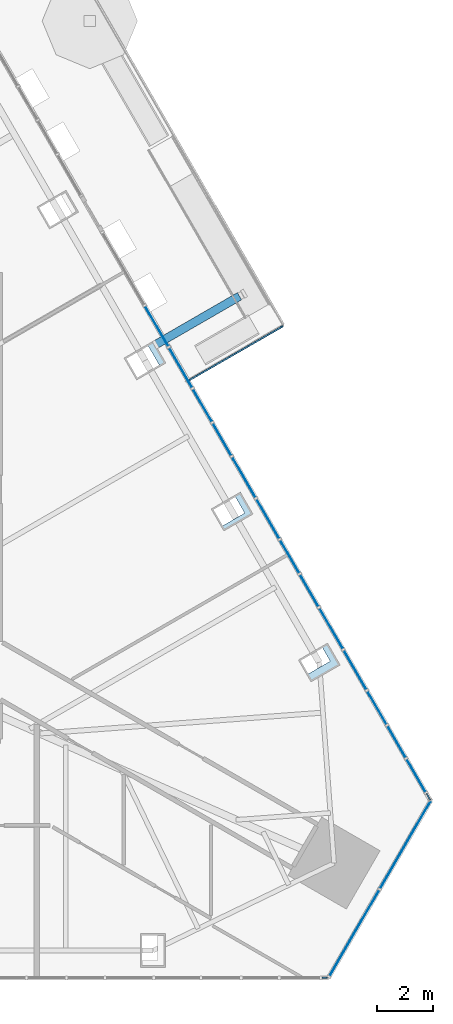
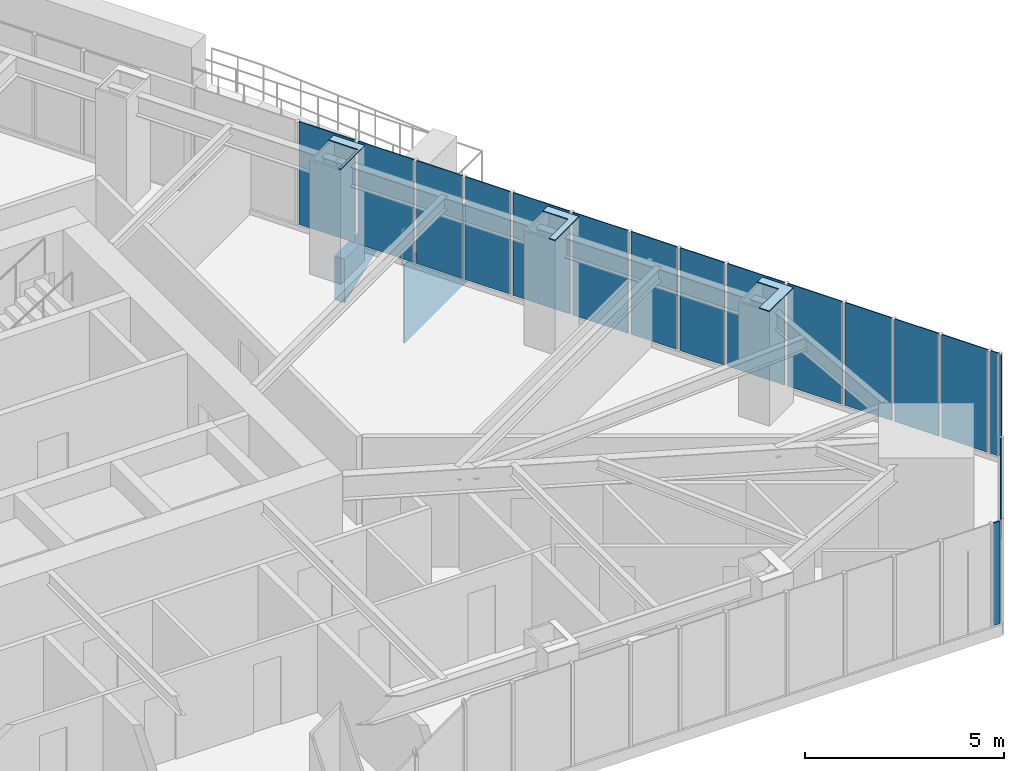
# One storey, part 12 of 22: 22 plates, 3 elements without a shape of their own.
"""IFC4 building model written with IfcOpenShell, lengths in metres."""

from ifc_helpers import new_model, si_unit, direction, frame, origin, place, context, subcontext, project, spatial, polyline, outline, extrude, material, layer, layer_set, type_object, element, aggregate, save


model = new_model("IFC4")

# Units and contexts
model_context = context("Model", 3, precision=1e-05, world=origin(), true_north=direction((0.0, 1.0)))
body_context = subcontext(model_context, "Body", "Model", "MODEL_VIEW")
ifc_project = project(units=[si_unit("LENGTHUNIT", "METRE"), si_unit("AREAUNIT", "SQUARE_METRE"), si_unit("VOLUMEUNIT", "CUBIC_METRE"), si_unit("PLANEANGLEUNIT", "RADIAN"), si_unit("MASSUNIT", "GRAM", prefix="KILO")], contexts=[model_context])

# Site, building, storey
site_placement = place(None, origin())
site = spatial("IfcSite", under=ifc_project, at=site_placement, CompositionType="ELEMENT")
building_placement = place(site_placement, origin())
building = spatial("IfcBuilding", under=site, at=building_placement, Name="Firuza Gate Tower and Library", CompositionType="ELEMENT")
storey_placement = place(building_placement, frame((0.0, 0.0, 295.10009765625)))
storey = spatial("IfcBuildingStorey", under=building, at=storey_placement, Name="L71", CompositionType="ELEMENT", Elevation=295.10009765625)

# Plates
ifc_material_1 = material(Name="Steel S355", Category="steel")
ifc_layer_1 = layer(ifc_material_1, 0.030029296875)
ifc_layer_set_1 = layer_set([ifc_layer_1], Name="Column infill plate 30 Steel S355")
plate_type_1 = type_object("IfcPlateType", Name="Column infill plate 30 Steel S355", PredefinedType="SHEET", material=ifc_layer_set_1)
placement_1 = place(storey_placement, frame((0.0, 0.0, 3.5)))
element("IfcPlate", 1, at=placement_1, inside=storey, type_object=plate_type_1, Name="Infill plate L71:E1", PredefinedType="SHEET", context=body_context, shape_type="SweptSolid", body=[
    extrude(outline(polyline([(96.755126953125, 70.1435546875), (96.5498046875, 70.025146484375), (96.853271484375, 69.499755859375), (96.019287109375, 69.018310546875), (96.166015625, 68.76416015625), (97.205078125, 69.3642578125), (96.755126953125, 70.1435546875)])), origin(), (0.0, 0.0, 1.0), 0.02978515625),
])
element("IfcPlate", 2, at=placement_1, inside=storey, type_object=plate_type_1, Name="Infill plate L71:E2", PredefinedType="SHEET", context=body_context, shape_type="SweptSolid", body=[
    extrude(outline(polyline([(93.6484375, 75.524658203125), (93.443115234375, 75.406005859375), (93.80517578125, 74.779052734375), (92.97119140625, 74.297607421875), (93.059326171875, 74.14501953125), (94.0986328125, 74.7451171875), (93.6484375, 75.524658203125)])), origin(), (0.0, 0.0, 1.0), 0.02978515625),
])
element("IfcPlate", 3, at=placement_1, inside=storey, type_object=plate_type_1, Name="Infill plate L71:E3", PredefinedType="SHEET", context=body_context, shape_type="SweptSolid", body=[
    extrude(outline(polyline([(90.541748046875, 80.905517578125), (90.33642578125, 80.786865234375), (90.757080078125, 80.058349609375), (89.92333984375, 79.576904296875), (89.95263671875, 79.526123046875), (90.991943359375, 80.1259765625), (90.541748046875, 80.905517578125)])), origin(), (0.0, 0.0, 1.0), 0.02978515625),
])

# Curtain wall, plates
ifc_material_2 = material(Name="Aluminium 6063-T6", Category="aluminium")
ifc_layer_2 = layer(ifc_material_2, 0.14990234375)
ifc_layer_set_2 = layer_set([ifc_layer_2], Name="Corner curtain wall, chamfers")
curtain_wall_type_1 = type_object("IfcCurtainWallType", Name="Corner curtain wall, chamfers", PredefinedType="NOTDEFINED", material=ifc_layer_set_2)
placement_2 = place(storey_placement, origin())
curtain_wall_1 = element("IfcCurtainWall", 4, at=placement_2, inside=storey, type_object=curtain_wall_type_1, Name="CW4 L71 SE corner", PredefinedType="NOTDEFINED")
ifc_material_3 = material(Name="Fritted glass", Category="glass")
ifc_layer_3 = layer(ifc_material_3, 0.030029296875)
ifc_layer_set_3 = layer_set([ifc_layer_3], Name="Fritted glass unit, corners")
plate_type_2 = type_object("IfcPlateType", Name="Fritted glass unit, corners", PredefinedType="CURTAIN_PANEL", material=ifc_layer_set_3)
plate_4_placement = place(storey_placement, frame((96.822998046875, 58.23974609375, 0.14990234375), z_axis=(0.866046390552, -0.49996364809, 0.0), x_axis=(0.49996364809, 0.866046390552, 0.0)))
plate_4 = element("IfcPlate", 5, at=plate_4_placement, type_object=plate_type_2, Name="Glass unit", PredefinedType="CURTAIN_PANEL", context=body_context, shape_type="SweptSolid", body=[
    extrude(outline(polyline([(0.0, 0.0), (3.563247342942594, 0.0), (3.563247342942594, 3.14990234375), (0.0, 3.14990234375), (0.0, 0.0)])), origin(), (0.0, 0.0, -1.0), 0.030029296875),
])
plate_5_placement = place(storey_placement, frame((98.64453125, 61.39501953125, 0.14990234375), z_axis=(0.866016723041, -0.500015035186, 0.0), x_axis=(0.500015035186, 0.866016723041, 0.0)))
plate_5 = element("IfcPlate", 6, at=plate_5_placement, type_object=plate_type_2, Name="Glass unit", PredefinedType="CURTAIN_PANEL", context=body_context, shape_type="SweptSolid", body=[
    extrude(outline(polyline([(0.0, 0.0), (3.5633694106530625, 0.0), (3.5633694106530625, 3.14990234375), (0.0, 3.14990234375), (0.0, 0.0)])), origin(), (0.0, 0.0, -1.0), 0.030029296875),
])
aggregate(curtain_wall_1, [plate_4, plate_5])

ifc_material_4 = material(Name="Aluminium 6063-T6", Category="aluminium")
ifc_layer_4 = layer(ifc_material_4, 0.14990234375)
ifc_layer_set_4 = layer_set([ifc_layer_4], Name="Unitised curtain wall, residences")
curtain_wall_type_2 = type_object("IfcCurtainWallType", Name="Unitised curtain wall, residences", PredefinedType="NOTDEFINED", material=ifc_layer_set_4)
curtain_wall_2 = element("IfcCurtainWall", 7, at=placement_2, inside=storey, type_object=curtain_wall_type_2, Name="CW3 L71 E face", PredefinedType="NOTDEFINED")
ifc_material_5 = material(Name="Fritted glass", Category="glass")
ifc_layer_5 = layer(ifc_material_5, 0.030029296875)
ifc_layer_set_5 = layer_set([ifc_layer_5], Name="Fritted glass unit, residences")
plate_type_3 = type_object("IfcPlateType", Name="Fritted glass unit, residences", PredefinedType="CURTAIN_PANEL", material=ifc_layer_set_5)
plate_6_placement = place(storey_placement, frame((100.2607421875, 64.85205078125, 0.14990234375), z_axis=(0.866003567665, 0.500037819361, 0.0), x_axis=(-0.500037819361, 0.866003567665, 0.0)))
plate_6 = element("IfcPlate", 8, at=plate_6_placement, type_object=plate_type_3, Name="Glass unit", PredefinedType="CURTAIN_PANEL", context=body_context, shape_type="SweptSolid", body=[
    extrude(outline(polyline([(0.0, 0.0), (1.3402306579164724, 0.0), (1.3402306579164724, 3.14990234375), (0.0, 3.14990234375), (0.0, 0.0)])), origin(), (0.0, 0.0, -1.0), 0.030029296875),
])
plate_7_placement = place(storey_placement, frame((98.152099609375, 68.504150390625, 0.14990234375), z_axis=(0.866043049997, 0.499969434617, 0.0), x_axis=(-0.499969434617, 0.866043049997, 0.0)))
plate_7 = element("IfcPlate", 9, at=plate_7_placement, type_object=plate_type_3, Name="Glass unit", PredefinedType="CURTAIN_PANEL", context=body_context, shape_type="SweptSolid", body=[
    extrude(outline(polyline([(0.0, 0.0), (1.597265610819663, 0.0), (1.597265610819663, 3.14990234375), (0.0, 3.14990234375), (0.0, 0.0)])), origin(), (0.0, 0.0, -1.0), 0.030029296875),
])
plate_8_placement = place(storey_placement, frame((97.3134765625, 69.956787109375, 0.14990234375), z_axis=(0.866006690807, 0.500032410427, 0.0), x_axis=(-0.500032410427, 0.866006690807, 0.0)))
plate_8 = element("IfcPlate", 10, at=plate_8_placement, type_object=plate_type_3, Name="Glass unit", PredefinedType="CURTAIN_PANEL", context=body_context, shape_type="SweptSolid", body=[
    extrude(outline(polyline([(0.0, 0.0), (1.6590721450269508, 0.0), (1.6590721450269508, 3.14990234375), (0.0, 3.14990234375), (0.0, 0.0)])), origin(), (0.0, 0.0, -1.0), 0.030029296875),
])
plate_9_placement = place(storey_placement, frame((95.04541015625, 73.88525390625, 0.14990234375), z_axis=(0.865965804178, 0.50010321534, 0.0), x_axis=(-0.50010321534, 0.865965804178, 0.0)))
plate_9 = element("IfcPlate", 11, at=plate_9_placement, type_object=plate_type_3, Name="Glass unit", PredefinedType="CURTAIN_PANEL", context=body_context, shape_type="SweptSolid", body=[
    extrude(outline(polyline([(0.0, 0.0), (1.6095310246658425, 0.0), (1.6095310246658425, 3.14990234375), (0.0, 3.14990234375), (0.0, 0.0)])), origin(), (0.0, 0.0, -1.0), 0.030029296875),
])
plate_10_placement = place(storey_placement, frame((94.200439453125, 75.348388671875, 0.14990234375), z_axis=(0.866044851585, 0.499966313909, 0.0), x_axis=(-0.499966313909, 0.866044851585, 0.0)))
plate_10 = element("IfcPlate", 12, at=plate_10_placement, type_object=plate_type_3, Name="Glass unit", PredefinedType="CURTAIN_PANEL", context=body_context, shape_type="SweptSolid", body=[
    extrude(outline(polyline([(0.0, 0.0), (1.6465953097185018, 0.0), (1.6465953097185018, 3.14990234375), (0.0, 3.14990234375), (0.0, 0.0)])), origin(), (0.0, 0.0, -1.0), 0.030029296875),
])
plate_11_placement = place(storey_placement, frame((91.938720703125, 79.26611328125, 0.14990234375), z_axis=(0.865992557167, 0.500056887695, 0.0), x_axis=(-0.500056887695, 0.865992557167, 0.0)))
plate_11 = element("IfcPlate", 13, at=plate_11_placement, type_object=plate_type_3, Name="Glass unit", PredefinedType="CURTAIN_PANEL", context=body_context, shape_type="SweptSolid", body=[
    extrude(outline(polyline([(0.0, 0.0), (1.6218857818127541, 0.0), (1.6218857818127541, 3.14990234375), (0.0, 3.14990234375), (0.0, 0.0)])), origin(), (0.0, 0.0, -1.0), 0.030029296875),
])
plate_12_placement = place(storey_placement, frame((91.087646484375, 80.739990234375, 0.14990234375), z_axis=(0.866056245385, 0.499946576975, 0.0), x_axis=(-0.499946576975, 0.866056245385, 0.0)))
plate_12 = element("IfcPlate", 14, at=plate_12_placement, type_object=plate_type_3, Name="Glass unit", PredefinedType="CURTAIN_PANEL", context=body_context, shape_type="SweptSolid", body=[
    extrude(outline(polyline([(0.0, 0.0), (1.6344519784862355, 0.0), (1.6344519784862355, 3.14990234375), (0.0, 3.14990234375), (0.0, 0.0)])), origin(), (0.0, 0.0, -1.0), 0.030029296875),
])

# Curtain wall, plate
curtain_wall_3 = element("IfcCurtainWall", 15, at=placement_2, inside=storey, type_object=curtain_wall_type_2, Name="CW3 L71 S face", PredefinedType="NOTDEFINED")
ifc_material_6 = material(Name="Glazed ceramic tile")
ifc_layer_6 = layer(ifc_material_6, 0.030029296875)
ifc_layer_set_6 = layer_set([ifc_layer_6], Name="Opaque ceramic panel, residences")
plate_type_4 = type_object("IfcPlateType", Name="Opaque ceramic panel, residences", PredefinedType="CURTAIN_PANEL", material=ifc_layer_set_6)
plate_13_placement = place(storey_placement, frame((96.56396484375, 58.19775390625, 0.14990234375), z_axis=(0.0, -1.0, 0.0), x_axis=(1.0, 0.0, 0.0)))
plate_13 = element("IfcPlate", 16, at=plate_13_placement, type_object=plate_type_4, Name="Opaque ceramic panel", PredefinedType="CURTAIN_PANEL", context=body_context, shape_type="SweptSolid", body=[
    extrude(outline(polyline([(0.0, 0.0), (0.18603515625, 0.0), (0.18603515625, 3.14990234375), (0.0, 3.14990234375), (0.0, 0.0)])), origin(), (0.0, 0.0, -1.0), 0.030029296875),
])
aggregate(curtain_wall_3, [plate_13])

# Plate
plate_14_placement = place(storey_placement, frame((100.42626953125, 64.565185546875, 0.14990234375), z_axis=(0.866201770413, 0.499694399542, 0.0), x_axis=(-0.499694399542, 0.866201770413, 0.0)))
plate_14 = element("IfcPlate", 17, at=plate_14_placement, type_object=plate_type_4, Name="Opaque ceramic panel", PredefinedType="CURTAIN_PANEL", context=body_context, shape_type="SweptSolid", body=[
    extrude(outline(polyline([(0.0, 0.0), (0.25113005341856437, 0.0), (0.25113005341856437, 3.14990234375), (0.0, 3.14990234375), (0.0, 0.0)])), origin(), (0.0, 0.0, -1.0), 0.030029296875),
])

plate_15_placement = place(storey_placement, frame((99.550537109375, 66.08203125, 0.14990234375), z_axis=(0.866030104553, 0.499991857942, 0.0), x_axis=(-0.499991857942, 0.866030104553, 0.0)))
plate_15 = element("IfcPlate", 18, at=plate_15_placement, type_object=plate_type_4, Name="Opaque ceramic panel", PredefinedType="CURTAIN_PANEL", context=body_context, shape_type="SweptSolid", body=[
    extrude(outline(polyline([(0.0, 0.0), (1.2812708643633335, 0.0), (1.2812708643633335, 3.14990234375), (0.0, 3.14990234375), (0.0, 0.0)])), origin(), (0.0, 0.0, -1.0), 0.030029296875),
])

plate_16_placement = place(storey_placement, frame((98.869873046875, 67.260986328125, 0.14990234375), z_axis=(0.866062633531, 0.499935510643, 0.0), x_axis=(-0.499935510643, 0.866062633531, 0.0)))
plate_16 = element("IfcPlate", 19, at=plate_16_placement, type_object=plate_type_4, Name="Opaque ceramic panel", PredefinedType="CURTAIN_PANEL", context=body_context, shape_type="SweptSolid", body=[
    extrude(outline(polyline([(0.0, 0.0), (1.3556435991684768, 0.0), (1.3556435991684768, 3.14990234375), (0.0, 3.14990234375), (0.0, 0.0)])), origin(), (0.0, 0.0, -1.0), 0.030029296875),
])

plate_17_placement = place(storey_placement, frame((96.44384765625, 71.462890625, 0.14990234375), z_axis=(0.865981306888, 0.500076370288, 0.0), x_axis=(-0.500076370288, 0.865981306888, 0.0)))
plate_17 = element("IfcPlate", 20, at=plate_17_placement, type_object=plate_type_4, Name="Opaque ceramic panel", PredefinedType="CURTAIN_PANEL", context=body_context, shape_type="SweptSolid", body=[
    extrude(outline(polyline([(0.0, 0.0), (1.2937477047296333, 0.0), (1.2937477047296333, 3.14990234375), (0.0, 3.14990234375), (0.0, 0.0)])), origin(), (0.0, 0.0, -1.0), 0.030029296875),
])

plate_18_placement = place(storey_placement, frame((95.757080078125, 72.652587890625, 0.14990234375), z_axis=(0.866031230052, 0.499989908473, 0.0), x_axis=(-0.499989908473, 0.866031230052, 0.0)))
plate_18 = element("IfcPlate", 21, at=plate_18_placement, type_object=plate_type_4, Name="Opaque ceramic panel", PredefinedType="CURTAIN_PANEL", context=body_context, shape_type="SweptSolid", body=[
    extrude(outline(polyline([(0.0, 0.0), (1.3432888304214845, 0.0), (1.3432888304214845, 3.14990234375), (0.0, 3.14990234375), (0.0, 0.0)])), origin(), (0.0, 0.0, -1.0), 0.030029296875),
])

plate_19_placement = place(storey_placement, frame((93.337158203125, 76.84375, 0.14990234375), z_axis=(0.86601437931, 0.500019094464, 0.0), x_axis=(-0.500019094464, 0.86601437931, 0.0)))
plate_19 = element("IfcPlate", 22, at=plate_19_placement, type_object=plate_type_4, Name="Opaque ceramic panel", PredefinedType="CURTAIN_PANEL", context=body_context, shape_type="SweptSolid", body=[
    extrude(outline(polyline([(0.0, 0.0), (1.3061024650961115, 0.0), (1.3061024650961115, 3.14990234375), (0.0, 3.14990234375), (0.0, 0.0)])), origin(), (0.0, 0.0, -1.0), 0.030029296875),
])

plate_20_placement = place(storey_placement, frame((92.64404296875, 78.044189453125, 0.14990234375), z_axis=(0.866078671117, 0.499907726921, 0.0), x_axis=(-0.499907726921, 0.866078671117, 0.0)))
plate_20 = element("IfcPlate", 23, at=plate_20_placement, type_object=plate_type_4, Name="Opaque ceramic panel", PredefinedType="CURTAIN_PANEL", context=body_context, shape_type="SweptSolid", body=[
    extrude(outline(polyline([(0.0, 0.0), (1.3308120024915793, 0.0), (1.3308120024915793, 3.1499023437499996), (0.0, 3.1499023437499996), (0.0, 0.0)])), origin(), (0.0, 0.0, -1.0), 0.030029296875),
])

aggregate(curtain_wall_2, [plate_14, plate_6, plate_15, plate_16, plate_7, plate_8, plate_17, plate_18, plate_9, plate_10, plate_19, plate_20, plate_11, plate_12])

# Plates
ifc_material_7 = material(Name="Steel S355", Category="steel")
ifc_layer_7 = layer(ifc_material_7, 0.300048828125)
ifc_layer_set_7 = layer_set([ifc_layer_7], Name="Tray bracket web 300 Steel S355")
plate_type_5 = type_object("IfcPlateType", Name="Tray bracket web 300 Steel S355", PredefinedType="SHEET", material=ifc_layer_set_7)
plate_21_placement = place(storey_placement, frame((90.572021484375, 80.923095703125, -0.2001953125), z_axis=(-0.500028509433, 0.86600894323, 0.0), x_axis=(0.86600894323, 0.500028509433, 0.0)))
element("IfcPlate", 24, at=plate_21_placement, inside=storey, type_object=plate_type_5, Name="Tray bracket web L71 col:L70:E3", PredefinedType="SHEET", context=body_context, shape_type="SweptSolid", body=[
    extrude(outline(polyline([(0.0, 0.0), (3.4294919542601163, 0.0), (0.0, 1.333984375), (0.0, 0.0)])), origin(), (0.0, 0.0, -1.0), 0.300048828125),
])
ifc_material_8 = material(Name="Aluminium 6063-T6", Category="aluminium")
ifc_layer_8 = layer(ifc_material_8, 0.050048828125)
ifc_layer_set_8 = layer_set([ifc_layer_8], Name="Tray fascia panel 50")
plate_type_6 = type_object("IfcPlateType", Name="Tray fascia panel 50", PredefinedType="SHEET", material=ifc_layer_set_8)
plate_22_placement = place(storey_placement, frame((91.762939453125, 79.449951171875, -2.400146484375), z_axis=(0.49999779889, -0.866026674592, 0.0), x_axis=(0.866026674592, 0.49999779889, 0.0)))
element("IfcPlate", 25, at=plate_22_placement, inside=storey, type_object=plate_type_6, Name="Tray fascia L71 8", PredefinedType="SHEET", context=body_context, shape_type="SweptSolid", body=[
    extrude(outline(polyline([(0.0, 0.0), (3.9399587508162695, 0.0), (3.9399587508162695, 2.400146484375), (0.0, 2.400146484375), (0.0, 0.0)])), origin(), (0.0, 0.0, -1.0), 0.050048828125),
])

save(model, "model.ifc")
